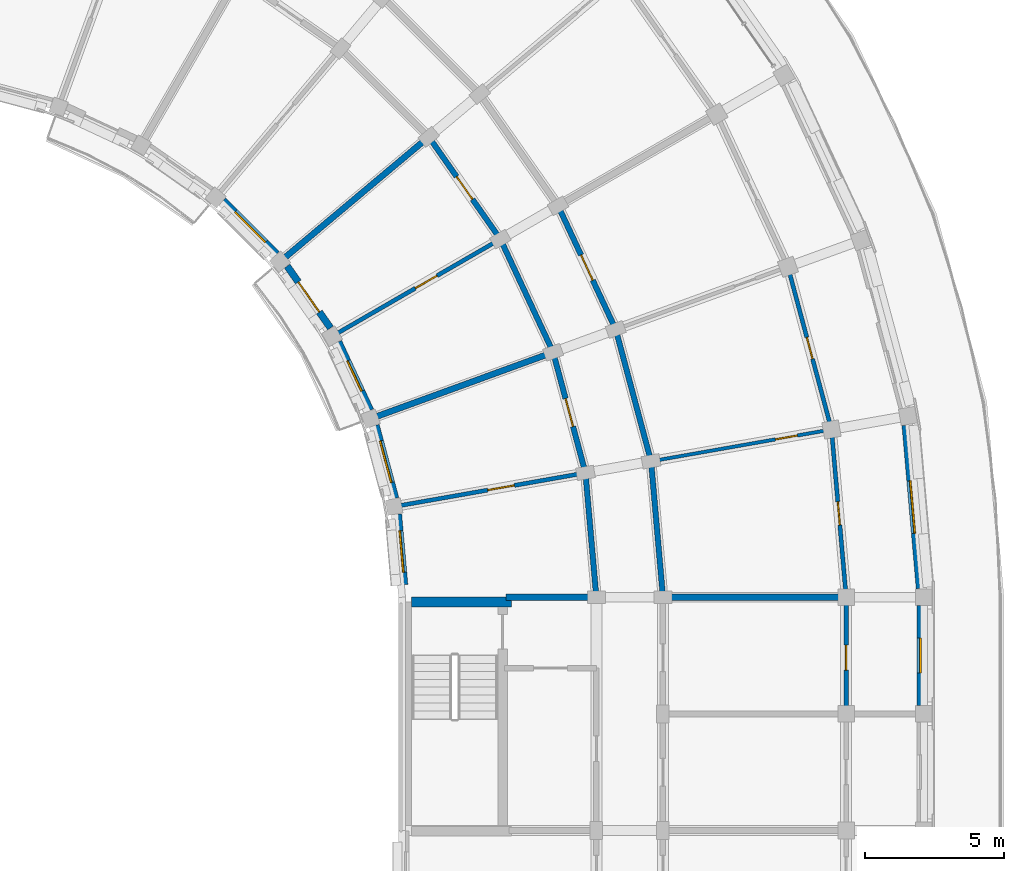
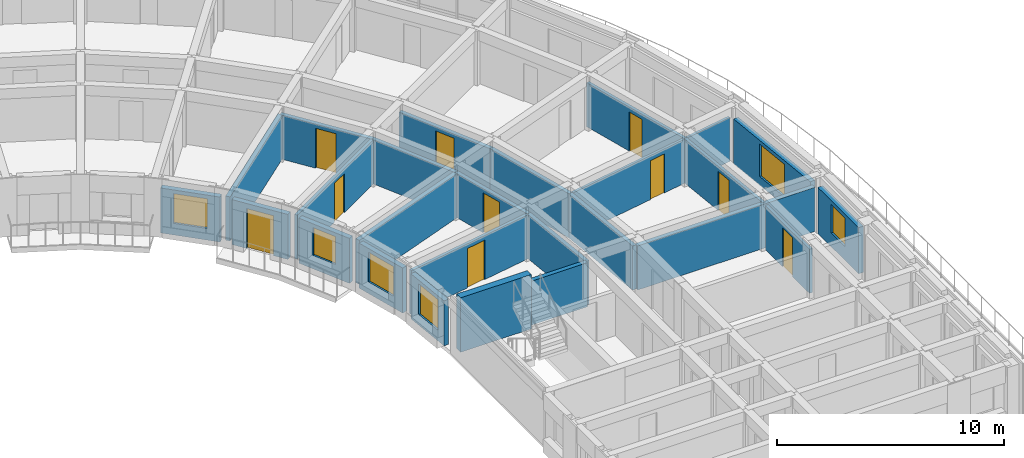
# One storey, part 22 of 36: 25 walls, 10 doors, 6 windows, 16 openings.
"""IFC4 building model written with IfcOpenShell, lengths in metres."""

from ifc_helpers import new_model, si_unit, direction, frame, frame_2d, origin, place, context, subcontext, project, spatial, rectangle, extrude, material, layer, layer_set, type_object, element, fill, save


model = new_model("IFC4")

# Units and contexts
model_context = context("Model", 3, precision=1e-05, world=origin(), true_north=direction((0.0, 1.0)))
body_context = subcontext(model_context, "Body", "Model", "MODEL_VIEW")
ifc_project = project(units=[si_unit("LENGTHUNIT", "METRE"), si_unit("AREAUNIT", "SQUARE_METRE"), si_unit("VOLUMEUNIT", "CUBIC_METRE"), si_unit("PLANEANGLEUNIT", "RADIAN"), si_unit("MASSUNIT", "GRAM", prefix="KILO")], contexts=[model_context])

# Site, building, storey
site_placement = place(None, origin())
site = spatial("IfcSite", under=ifc_project, at=site_placement, CompositionType="ELEMENT")
building_placement = place(site_placement, origin())
building = spatial("IfcBuilding", under=site, at=building_placement, Name="Kiranvali Square Residences", CompositionType="ELEMENT")
storey_placement = place(building_placement, frame((0.0, 0.0, 37.050048828125)))
storey = spatial("IfcBuildingStorey", under=building, at=storey_placement, Name="L11", CompositionType="ELEMENT", Elevation=37.050048828125)

# Wall, opening, door
ifc_material_1 = material(Name="Autoclaved aerated concrete blockwork masonry", Category="masonry")
ifc_layer_1 = layer(ifc_material_1, 0.199951171875)
ifc_layer_set_1 = layer_set([ifc_layer_1], Name="Autoclaved aerated concrete blockwork masonry")
wall_type_1 = type_object("IfcWallType", Name="WL-COR-200", PredefinedType="STANDARD", material=ifc_layer_set_1)
wall_1_placement = place(storey_placement, frame((139.56396484375, 104.384033203125, 0.0), z_axis=(0.0, 0.0, 1.0), x_axis=(0.573571637217, -0.819155404658, 0.0)))
wall_1 = element("IfcWall", 1, at=wall_1_placement, inside=storey, type_object=wall_type_1, Name="L11 architectural wall WL-L11-B-CCI-5", PredefinedType="STANDARD", context=body_context, shape_type="SweptSolid", body=[
    extrude(rectangle(XDim=4.497314453125, YDim=0.199951171875, at=frame_2d((2.24853515625, 0.0))), origin(), (0.0, 0.0, 1.0), 2.3720703125),
])
opening_1_placement = place(wall_1_placement, frame((1.74853515625, 0.0, 0.0)))
opening_1 = element("IfcOpeningElement", 2, at=opening_1_placement, cuts=wall_1, Name="Opening FD-APT-60", PredefinedType="OPENING", context=body_context, shape_type="SweptSolid", body=[
    extrude(rectangle(XDim=1.0, YDim=2.14990234375, at=frame_2d((0.5, 1.074951171875))), frame((0.0, 0.10986328125, 0.0), z_axis=(0.0, -1.0, 0.0), x_axis=(1.0, 0.0, 0.0)), (0.0, 0.0, 1.0), 0.219970703125),
])
ifc_material_2 = material(Name="Fire-rated acoustic hardwood and mineral-core door assembly", Category="wood")
door_type_1 = type_object("IfcDoorType", Name="DR-APT-1000", OperationType="NOTDEFINED", PredefinedType="DOOR", material=ifc_material_2)
door_1_placement = place(opening_1_placement, frame((1.0, 0.0, 0.0), z_axis=(0.0, 0.0, 1.0), x_axis=(-1.0, 0.0, 0.0)))
door_1 = element("IfcDoor", 3, at=door_1_placement, inside=storey, type_object=door_type_1, Name="L11 door DR-L11-1682 (DR-APT-1000)", OperationType="SINGLE_SWING_RIGHT", OverallHeight=2.14990234375, OverallWidth=1.0, PredefinedType="DOOR", context=body_context, shape_type="SweptSolid", body=[
    extrude(rectangle(XDim=1.0, YDim=2.14990234375, at=frame_2d((0.5, 1.074951171875))), frame((0.0, 0.02490234375, 0.0), z_axis=(0.0, -1.0, 0.0), x_axis=(1.0, 0.0, 0.0)), (0.0, 0.0, 1.0), 0.050048828125),
])
fill(opening_1, door_1)

# Wall
wall_2_placement = place(storey_placement, frame((142.1435546875, 100.699951171875, 0.0), z_axis=(0.0, 0.0, 1.0), x_axis=(0.422617978463, -0.906307919131, 0.0)))
element("IfcWall", 4, at=wall_2_placement, inside=storey, type_object=wall_type_1, Name="L11 architectural wall WL-L11-B-CCI-6", PredefinedType="STANDARD", context=body_context, shape_type="SweptSolid", body=[
    extrude(rectangle(XDim=4.497314453125, YDim=0.199951171875, at=frame_2d((2.24853515625, 0.0))), origin(), (0.0, 0.0, 1.0), 2.3720703125),
])

# Wall, opening, door
wall_3_placement = place(storey_placement, frame((144.221923828125, 101.89990234375, 0.0), z_axis=(0.0, 0.0, 1.0), x_axis=(0.422629854778, -0.906302381024, 0.0)))
wall_3 = element("IfcWall", 5, at=wall_3_placement, inside=storey, type_object=wall_type_1, Name="L11 architectural wall WL-L11-B-CCO-6", PredefinedType="STANDARD", context=body_context, shape_type="SweptSolid", body=[
    extrude(rectangle(XDim=4.915283203125, YDim=0.199951171875, at=frame_2d((2.45751953125, 0.0))), origin(), (0.0, 0.0, 1.0), 2.3720703125),
])
opening_2_placement = place(wall_3_placement, frame((1.957763671875, 0.0, 0.0)))
opening_2 = element("IfcOpeningElement", 6, at=opening_2_placement, cuts=wall_3, Name="Opening FD-APT-60", PredefinedType="OPENING", context=body_context, shape_type="SweptSolid", body=[
    extrude(rectangle(XDim=1.0, YDim=2.14990234375, at=frame_2d((0.5, 1.074951171875))), frame((0.0, 0.10986328125, 0.0), z_axis=(0.0, -1.0, 0.0), x_axis=(1.0, 0.0, 0.0)), (0.0, 0.0, 1.0), 0.219970703125),
])
door_2_placement = place(opening_2_placement, frame((1.0, 0.0, 0.0), z_axis=(0.0, 0.0, 1.0), x_axis=(-1.0, 0.0, 0.0)))
door_2 = element("IfcDoor", 7, at=door_2_placement, inside=storey, type_object=door_type_1, Name="L11 door DR-L11-1676 (DR-APT-1000)", OperationType="SINGLE_SWING_RIGHT", OverallHeight=2.14990234375, OverallWidth=1.0, PredefinedType="DOOR", context=body_context, shape_type="SweptSolid", body=[
    extrude(rectangle(XDim=1.0, YDim=2.14990234375, at=frame_2d((0.5, 1.074951171875))), frame((0.0, 0.02490234375, 0.0), z_axis=(0.0, -1.0, 0.0), x_axis=(1.0, 0.0, 0.0)), (0.0, 0.0, 1.0), 0.050048828125),
])
fill(opening_2, door_2)

wall_4_placement = place(storey_placement, frame((144.044189453125, 96.6240234375, 0.0), z_axis=(0.0, 0.0, 1.0), x_axis=(0.258787642463, -0.965934240054, 0.0)))
wall_4 = element("IfcWall", 8, at=wall_4_placement, inside=storey, type_object=wall_type_1, Name="L11 architectural wall WL-L11-B-CCI-7", PredefinedType="STANDARD", context=body_context, shape_type="SweptSolid", body=[
    extrude(rectangle(XDim=4.497314453125, YDim=0.199951171875, at=frame_2d((2.24853515625, 0.0))), origin(), (0.0, 0.0, 1.0), 2.3720703125),
])
opening_3_placement = place(wall_4_placement, frame((1.728515625, 0.0, 0.0)))
opening_3 = element("IfcOpeningElement", 9, at=opening_3_placement, cuts=wall_4, Name="Opening FD-APT-60B", PredefinedType="OPENING", context=body_context, shape_type="SweptSolid", body=[
    extrude(rectangle(XDim=1.0400390625, YDim=2.14990234375, at=frame_2d((0.52001953125, 1.074951171875))), frame((0.0, 0.10986328125, 0.0), z_axis=(0.0, -1.0, 0.0), x_axis=(1.0, 0.0, 0.0)), (0.0, 0.0, 1.0), 0.219970703125),
])
door_type_2 = type_object("IfcDoorType", Name="DR-APT-1040", OperationType="NOTDEFINED", PredefinedType="DOOR", material=ifc_material_2)
door_3_placement = place(opening_3_placement, origin())
door_3 = element("IfcDoor", 10, at=door_3_placement, inside=storey, type_object=door_type_2, Name="L11 door DR-L11-1683 (DR-APT-1040)", OperationType="SINGLE_SWING_LEFT", OverallHeight=2.14990234375, OverallWidth=1.0400390625, PredefinedType="DOOR", context=body_context, shape_type="SweptSolid", body=[
    extrude(rectangle(XDim=1.0400390625, YDim=2.14990234375, at=frame_2d((0.52001953125, 1.074951171875))), frame((0.0, 0.02490234375, 0.0), z_axis=(0.0, -1.0, 0.0), x_axis=(1.0, 0.0, 0.0)), (0.0, 0.0, 1.0), 0.050048828125),
])
fill(opening_3, door_3)

# Walls
wall_5_placement = place(storey_placement, frame((146.29931640625, 97.445068359375, 0.0), z_axis=(0.0, 0.0, 1.0), x_axis=(0.258803112091, -0.965930095386, 0.0)))
element("IfcWall", 11, at=wall_5_placement, inside=storey, type_object=wall_type_1, Name="L11 architectural wall WL-L11-B-CCO-7", PredefinedType="STANDARD", context=body_context, shape_type="SweptSolid", body=[
    extrude(rectangle(XDim=4.915771484375, YDim=0.199951171875, at=frame_2d((2.4580078125, 0.0))), origin(), (0.0, 0.0, 1.0), 2.3720703125),
])
wall_6_placement = place(storey_placement, frame((145.2080078125, 92.280029296875, 0.0), z_axis=(0.0, 0.0, 1.0), x_axis=(0.087187153726, -0.996191949488, 0.0)))
element("IfcWall", 12, at=wall_6_placement, inside=storey, type_object=wall_type_1, Name="L11 architectural wall WL-L11-B-CCI-8", PredefinedType="STANDARD", context=body_context, shape_type="SweptSolid", body=[
    extrude(rectangle(XDim=4.4970703125, YDim=0.199951171875, at=frame_2d((2.24853515625, 0.0))), origin(), (0.0, 0.0, 1.0), 2.3720703125),
])
wall_7_placement = place(storey_placement, frame((147.571533203125, 92.69677734375, 0.0), z_axis=(0.0, 0.0, 1.0), x_axis=(0.087167566415, -0.996193663584, 0.0)))
element("IfcWall", 13, at=wall_7_placement, inside=storey, type_object=wall_type_1, Name="L11 architectural wall WL-L11-B-CCO-8", PredefinedType="STANDARD", context=body_context, shape_type="SweptSolid", body=[
    extrude(rectangle(XDim=4.91552734375, YDim=0.199951171875, at=frame_2d((2.457763671875, 0.0))), origin(), (0.0, 0.0, 1.0), 2.3720703125),
])
ifc_layer_2 = layer(ifc_material_1, 0.219970703125)
ifc_layer_set_2 = layer_set([ifc_layer_2], Name="Autoclaved aerated concrete blockwork masonry")
wall_type_2 = type_object("IfcWallType", Name="WL-DEM-220", PredefinedType="STANDARD", material=ifc_layer_set_2)
for number, where, z_axis, x_axis, name in (
    (14, (134.354736328125, 100.012939453125, 0.0), (0.0, 0.0, 1.0), (0.766046761698, 0.642784846501, 0.0), "L11 architectural wall WL-L11-B-RADI-5"),
    (15, (137.654052734375, 94.29833984375, 0.0), (0.0, 0.0, 1.0), (0.939696231917, 0.342010221662, 0.0), "L11 architectural wall WL-L11-B-RADI-7"),
):
    element("IfcWall", number, at=place(storey_placement, frame(where, z_axis=z_axis, x_axis=x_axis)), inside=storey, type_object=wall_type_2, Name=name, PredefinedType="STANDARD", context=body_context, shape_type="SweptSolid", body=[
        extrude(rectangle(XDim=6.75, YDim=0.219970703125, at=frame_2d((3.375, 0.0))), origin(), (0.0, 0.0, 1.0), 2.3720703125),
    ])
wall_8_placement = place(storey_placement, frame((142.35009765625, 87.800048828125, 0.0), z_axis=(0.0, 0.0, 1.0), x_axis=(1.0, 0.0, 0.0)))
element("IfcWall", 16, at=wall_8_placement, inside=storey, type_object=wall_type_2, Name="L11 architectural wall WL-L11-B-RADI-9", PredefinedType="STANDARD", context=body_context, shape_type="SweptSolid", body=[
    extrude(rectangle(XDim=3.199951171875, YDim=0.219970703125, at=frame_2d((1.60009765625, 0.0))), origin(), (0.0, 0.0, 1.0), 2.3720703125),
])
wall_9_placement = place(storey_placement, frame((148.10009765625, 87.800048828125, 0.0), z_axis=(0.0, 0.0, 1.0), x_axis=(1.0, 0.0, 0.0)))
element("IfcWall", 17, at=wall_9_placement, inside=storey, type_object=wall_type_2, Name="L11 architectural wall WL-L11-B-RADO-9", PredefinedType="STANDARD", context=body_context, shape_type="SweptSolid", body=[
    extrude(rectangle(XDim=9.02001953125, YDim=0.219970703125, at=frame_2d((4.510009765625, 0.0))), origin(), (0.0, 0.0, 1.0), 2.3720703125),
])

# Wall, opening, window
ifc_material_3 = material(Name="Breathable lime-rendered clay brick masonry", Category="masonry")
ifc_layer_3 = layer(ifc_material_3, 0.25)
ifc_layer_set_3 = layer_set([ifc_layer_3], Name="Breathable lime-rendered clay brick masonry")
wall_type_3 = type_object("IfcWallType", Name="WL-EXT-250", PredefinedType="STANDARD", material=ifc_layer_set_3)
wall_10_placement = place(storey_placement, frame((156.732666015625, 93.993896484375, 0.0), z_axis=(0.0, 0.0, 1.0), x_axis=(0.087145401275, -0.996195602799, 0.0)))
wall_10 = element("IfcWall", 18, at=wall_10_placement, inside=storey, type_object=wall_type_3, Name="L11 exterior wall B-L11-CRV-08", PredefinedType="STANDARD", context=body_context, shape_type="SweptSolid", body=[
    extrude(rectangle(XDim=5.90283203125, YDim=0.25, at=frame_2d((2.951416015625, 0.0))), origin(), (0.0, 0.0, 1.0), 2.411865234375),
])
opening_4_placement = place(wall_10_placement, frame((2.00146484375, 0.0, 0.4619140625)))
opening_4 = element("IfcOpeningElement", 19, at=opening_4_placement, cuts=wall_10, Name="Opening W-21", PredefinedType="OPENING", context=body_context, shape_type="SweptSolid", body=[
    extrude(rectangle(XDim=1.89990234375, YDim=1.75, at=frame_2d((0.949951171875, 0.875))), frame((0.0, 0.135009765625, 0.0), z_axis=(0.0, -1.0, 0.0), x_axis=(1.0, 0.0, 0.0)), (0.0, 0.0, 1.0), 0.27001953125),
])
ifc_material_4 = material(Name="Solar-control low-e double glazing", Category="glass")
window_type_1 = type_object("IfcWindowType", Name="WIN-TER-1900x1750", PartitioningType="DOUBLE_PANEL_VERTICAL", PredefinedType="WINDOW", material=ifc_material_4)
window_1_placement = place(opening_4_placement, origin())
window_1 = element("IfcWindow", 20, at=window_1_placement, inside=storey, type_object=window_type_1, Name="L11 recessed window B-L11-CRV-08", OverallHeight=1.75, OverallWidth=1.89990234375, PartitioningType="DOUBLE_PANEL_VERTICAL", PredefinedType="WINDOW", context=body_context, shape_type="SweptSolid", body=[
    extrude(rectangle(XDim=1.89990234375, YDim=1.75, at=frame_2d((0.949951171875, 0.875))), frame((0.0, 0.030029296875, 0.0), z_axis=(0.0, -1.0, 0.0), x_axis=(1.0, 0.0, 0.0)), (0.0, 0.0, 1.0), 0.06005859375),
])
fill(opening_4, window_1)

wall_11_placement = place(storey_placement, frame((132.169921875, 102.093017578125, 0.0), z_axis=(0.0, 0.0, 1.0), x_axis=(0.707106781187, -0.707106781187, 0.0)))
wall_11 = element("IfcWall", 21, at=wall_11_placement, inside=storey, type_object=wall_type_3, Name="L11 exterior wall B-L11-GDN-04", PredefinedType="STANDARD", context=body_context, shape_type="SweptSolid", body=[
    extrude(rectangle(XDim=2.7197265625, YDim=0.25, at=frame_2d((1.35986328125, 0.0))), origin(), (0.0, 0.0, 1.0), 2.421875),
])
opening_5_placement = place(wall_11_placement, frame((0.5849609375, 0.0, 0.6220703125)))
opening_5 = element("IfcOpeningElement", 22, at=opening_5_placement, cuts=wall_11, Name="Opening W-18", PredefinedType="OPENING", context=body_context, shape_type="SweptSolid", body=[
    extrude(rectangle(XDim=1.550048828125, YDim=1.60009765625, at=frame_2d((0.77490234375, 0.800048828125))), frame((0.0, 0.135009765625, 0.0), z_axis=(0.0, -1.0, 0.0), x_axis=(1.0, 0.0, 0.0)), (0.0, 0.0, 1.0), 0.27001953125),
])
window_type_2 = type_object("IfcWindowType", Name="WIN-GDN-1550x1600", PartitioningType="DOUBLE_PANEL_VERTICAL", PredefinedType="WINDOW", material=ifc_material_4)
window_2_placement = place(opening_5_placement, origin())
window_2 = element("IfcWindow", 23, at=window_2_placement, inside=storey, type_object=window_type_2, Name="L11 recessed window B-L11-GDN-04", OverallHeight=1.60009765625, OverallWidth=1.550048828125, PartitioningType="DOUBLE_PANEL_VERTICAL", PredefinedType="WINDOW", context=body_context, shape_type="SweptSolid", body=[
    extrude(rectangle(XDim=1.550048828125, YDim=1.60009765625, at=frame_2d((0.77490234375, 0.800048828125))), frame((0.0, 0.030029296875, 0.0), z_axis=(0.0, -1.0, 0.0), x_axis=(1.0, 0.0, 0.0)), (0.0, 0.0, 1.0), 0.06005859375),
])
fill(opening_5, window_2)

# Wall, opening, door
wall_12_placement = place(storey_placement, frame((134.4638671875, 99.727783203125, 0.0), z_axis=(0.0, 0.0, 1.0), x_axis=(0.573612950921, -0.819126475299, 0.0)))
wall_12 = element("IfcWall", 24, at=wall_12_placement, inside=storey, type_object=wall_type_3, Name="L11 exterior wall B-L11-GDN-05", PredefinedType="STANDARD", context=body_context, shape_type="SweptSolid", body=[
    extrude(rectangle(XDim=2.7197265625, YDim=0.25, at=frame_2d((1.35986328125, 0.0))), origin(), (0.0, 0.0, 1.0), 2.421875),
])
opening_6_placement = place(wall_12_placement, frame((0.699951171875, 0.0, 0.0)))
opening_6 = element("IfcOpeningElement", 25, at=opening_6_placement, cuts=wall_12, Name="Opening ED-BAL-3", PredefinedType="OPENING", context=body_context, shape_type="SweptSolid", body=[
    extrude(rectangle(XDim=1.320068359375, YDim=2.14990234375, at=frame_2d((0.66015625, 1.074951171875))), frame((0.0, 0.135009765625, 0.0), z_axis=(0.0, -1.0, 0.0), x_axis=(1.0, 0.0, 0.0)), (0.0, 0.0, 1.0), 0.27001953125),
])
ifc_material_5 = material(Name="Anodised bronze aluminium framing", Category="aluminium")
door_type_3 = type_object("IfcDoorType", Name="DR-BAL-1320", OperationType="NOTDEFINED", PredefinedType="DOOR", material=ifc_material_5)
door_4_placement = place(opening_6_placement, frame((1.320068359375, 0.0, 0.0), z_axis=(0.0, 0.0, 1.0), x_axis=(-1.0, 0.0, 0.0)))
door_4 = element("IfcDoor", 26, at=door_4_placement, inside=storey, type_object=door_type_3, Name="L11 balcony terrace door", OperationType="SINGLE_SWING_LEFT", OverallHeight=2.14990234375, OverallWidth=1.320068359375, PredefinedType="DOOR", context=body_context, shape_type="SweptSolid", body=[
    extrude(rectangle(XDim=1.320068359375, YDim=2.14990234375, at=frame_2d((0.66015625, 1.074951171875))), frame((0.0, 0.02490234375, 0.0), z_axis=(0.0, -1.0, 0.0), x_axis=(1.0, 0.0, 0.0)), (0.0, 0.0, 1.0), 0.050048828125),
])
fill(opening_6, door_4)

# Wall, opening, window
wall_13_placement = place(storey_placement, frame((136.312255859375, 97.000244140625, 0.0), z_axis=(0.0, 0.0, 1.0), x_axis=(0.422629903269, -0.906302358412, 0.0)))
wall_13 = element("IfcWall", 27, at=wall_13_placement, inside=storey, type_object=wall_type_3, Name="L11 exterior wall B-L11-GDN-06", PredefinedType="STANDARD", context=body_context, shape_type="SweptSolid", body=[
    extrude(rectangle(XDim=2.7197265625, YDim=0.25, at=frame_2d((1.35986328125, 0.0))), origin(), (0.0, 0.0, 1.0), 2.421875),
])
opening_7_placement = place(wall_13_placement, frame((0.759765625, 0.0, 0.721923828125)))
opening_7 = element("IfcOpeningElement", 28, at=opening_7_placement, cuts=wall_13, Name="Opening W-06", PredefinedType="OPENING", context=body_context, shape_type="SweptSolid", body=[
    extrude(rectangle(XDim=1.199951171875, YDim=1.5, at=frame_2d((0.60009765625, 0.75))), frame((0.0, 0.135009765625, 0.0), z_axis=(0.0, -1.0, 0.0), x_axis=(1.0, 0.0, 0.0)), (0.0, 0.0, 1.0), 0.27001953125),
])
window_type_3 = type_object("IfcWindowType", Name="WIN-RES-1200x1500", PartitioningType="SINGLE_PANEL", PredefinedType="WINDOW", material=ifc_material_4)
window_3_placement = place(opening_7_placement, origin())
window_3 = element("IfcWindow", 29, at=window_3_placement, inside=storey, type_object=window_type_3, Name="L11 recessed window B-L11-GDN-06", OverallHeight=1.5, OverallWidth=1.199951171875, PartitioningType="SINGLE_PANEL", PredefinedType="WINDOW", context=body_context, shape_type="SweptSolid", body=[
    extrude(rectangle(XDim=1.199951171875, YDim=1.5, at=frame_2d((0.60009765625, 0.75))), frame((0.0, 0.030029296875, 0.0), z_axis=(0.0, -1.0, 0.0), x_axis=(1.0, 0.0, 0.0)), (0.0, 0.0, 1.0), 0.06005859375),
])
fill(opening_7, window_3)

wall_14_placement = place(storey_placement, frame((137.6591796875, 93.9931640625, 0.0), z_axis=(0.0, 0.0, 1.0), x_axis=(0.258807879411, -0.965928818058, 0.0)))
wall_14 = element("IfcWall", 30, at=wall_14_placement, inside=storey, type_object=wall_type_3, Name="L11 exterior wall B-L11-GDN-07", PredefinedType="STANDARD", context=body_context, shape_type="SweptSolid", body=[
    extrude(rectangle(XDim=2.7197265625, YDim=0.25, at=frame_2d((1.35986328125, 0.0))), origin(), (0.0, 0.0, 1.0), 2.421875),
])
opening_8_placement = place(wall_14_placement, frame((0.5849609375, 0.0, 0.6220703125)))
opening_8 = element("IfcOpeningElement", 31, at=opening_8_placement, cuts=wall_14, Name="Opening W-18", PredefinedType="OPENING", context=body_context, shape_type="SweptSolid", body=[
    extrude(rectangle(XDim=1.550048828125, YDim=1.60009765625, at=frame_2d((0.77490234375, 0.800048828125))), frame((0.0, 0.135009765625, 0.0), z_axis=(0.0, -1.0, 0.0), x_axis=(1.0, 0.0, 0.0)), (0.0, 0.0, 1.0), 0.27001953125),
])
window_4_placement = place(opening_8_placement, origin())
window_4 = element("IfcWindow", 32, at=window_4_placement, inside=storey, type_object=window_type_2, Name="L11 recessed window B-L11-GDN-07", OverallHeight=1.60009765625, OverallWidth=1.550048828125, PartitioningType="DOUBLE_PANEL_VERTICAL", PredefinedType="WINDOW", context=body_context, shape_type="SweptSolid", body=[
    extrude(rectangle(XDim=1.550048828125, YDim=1.60009765625, at=frame_2d((0.77490234375, 0.800048828125))), frame((0.0, 0.030029296875, 0.0), z_axis=(0.0, -1.0, 0.0), x_axis=(1.0, 0.0, 0.0)), (0.0, 0.0, 1.0), 0.06005859375),
])
fill(opening_8, window_4)

wall_15_placement = place(storey_placement, frame((138.463134765625, 90.7978515625, 0.0), z_axis=(0.0, 0.0, 1.0), x_axis=(0.087222589008, -0.996188847542, 0.0)))
wall_15 = element("IfcWall", 33, at=wall_15_placement, inside=storey, type_object=wall_type_3, Name="L11 exterior wall B-L11-GDN-08", PredefinedType="STANDARD", context=body_context, shape_type="SweptSolid", body=[
    extrude(rectangle(XDim=2.558349609375, YDim=0.25, at=frame_2d((1.279296875, 0.0))), origin(), (0.0, 0.0, 1.0), 2.421875),
])
opening_9_placement = place(wall_15_placement, frame((0.60986328125, 0.0, 0.572021484375)))
opening_9 = element("IfcOpeningElement", 34, at=opening_9_placement, cuts=wall_15, Name="Opening W-05", PredefinedType="OPENING", context=body_context, shape_type="SweptSolid", body=[
    extrude(rectangle(XDim=1.5, YDim=1.64990234375, at=frame_2d((0.75, 0.824951171875))), frame((0.0, 0.135009765625, 0.0), z_axis=(0.0, -1.0, 0.0), x_axis=(1.0, 0.0, 0.0)), (0.0, 0.0, 1.0), 0.27001953125),
])
window_type_4 = type_object("IfcWindowType", Name="WIN-RES-1500x1650", PartitioningType="DOUBLE_PANEL_VERTICAL", PredefinedType="WINDOW", material=ifc_material_4)
window_5_placement = place(opening_9_placement, origin())
window_5 = element("IfcWindow", 35, at=window_5_placement, inside=storey, type_object=window_type_4, Name="L11 recessed window B-L11-GDN-08", OverallHeight=1.64990234375, OverallWidth=1.5, PartitioningType="DOUBLE_PANEL_VERTICAL", PredefinedType="WINDOW", context=body_context, shape_type="SweptSolid", body=[
    extrude(rectangle(XDim=1.5, YDim=1.64990234375, at=frame_2d((0.75, 0.824951171875))), frame((0.0, 0.030029296875, 0.0), z_axis=(0.0, -1.0, 0.0), x_axis=(1.0, 0.0, 0.0)), (0.0, 0.0, 1.0), 0.06005859375),
])
fill(opening_9, window_5)

wall_16_placement = place(storey_placement, frame((157.27490234375, 87.49658203125, 0.0), z_axis=(0.0, 0.0, 1.0), x_axis=(0.0, -1.0, 0.0)))
wall_16 = element("IfcWall", 36, at=wall_16_placement, inside=storey, type_object=wall_type_3, Name="L11 exterior wall B-L11-A2O-0", PredefinedType="STANDARD", context=body_context, shape_type="SweptSolid", body=[
    extrude(rectangle(XDim=3.593017578125, YDim=0.25, at=frame_2d((1.79638671875, 0.0))), origin(), (0.0, 0.0, 1.0), 2.47998046875),
])
opening_10_placement = place(wall_16_placement, frame((1.17138671875, 0.0, 0.72998046875)))
opening_10 = element("IfcOpeningElement", 37, at=opening_10_placement, cuts=wall_16, Name="Opening W-19", PredefinedType="OPENING", context=body_context, shape_type="SweptSolid", body=[
    extrude(rectangle(XDim=1.25, YDim=1.550048828125, at=frame_2d((0.625, 0.77490234375))), frame((0.0, 0.135009765625, 0.0), z_axis=(0.0, -1.0, 0.0), x_axis=(1.0, 0.0, 0.0)), (0.0, 0.0, 1.0), 0.27001953125),
])
window_type_5 = type_object("IfcWindowType", Name="WIN-GDN-1250x1550", PartitioningType="SINGLE_PANEL", PredefinedType="WINDOW", material=ifc_material_4)
window_6_placement = place(opening_10_placement, origin())
window_6 = element("IfcWindow", 38, at=window_6_placement, inside=storey, type_object=window_type_5, Name="L11 recessed window B-L11-A2O-0", OverallHeight=1.550048828125, OverallWidth=1.25, PartitioningType="SINGLE_PANEL", PredefinedType="WINDOW", context=body_context, shape_type="SweptSolid", body=[
    extrude(rectangle(XDim=1.25, YDim=1.550048828125, at=frame_2d((0.625, 0.77490234375))), frame((0.0, 0.030029296875, 0.0), z_axis=(0.0, -1.0, 0.0), x_axis=(1.0, 0.0, 0.0)), (0.0, 0.0, 1.0), 0.06005859375),
])
fill(opening_10, window_6)

# Wall, opening, door
ifc_material_6 = material(Name="Acoustic gypsum board drylined partition", Category="gypsum")
ifc_layer_4 = layer(ifc_material_6, 0.125)
ifc_layer_set_4 = layer_set([ifc_layer_4], Name="Acoustic gypsum board drylined partition")
wall_type_4 = type_object("IfcWallType", Name="WL-PRT-125", PredefinedType="PARTITIONING", material=ifc_layer_set_4)
wall_17_placement = place(storey_placement, frame((147.670166015625, 92.71435546875, 0.0), z_axis=(0.0, 0.0, 1.0), x_axis=(0.98480997874, 0.173635554464, 0.0)))
wall_17 = element("IfcWall", 39, at=wall_17_placement, inside=storey, type_object=wall_type_4, Name="L11 architectural wall WL-L11-B-RADO-8", PredefinedType="PARTITIONING", context=body_context, shape_type="SweptSolid", body=[
    extrude(rectangle(XDim=9.019775390625, YDim=0.125, at=frame_2d((4.509765625, 0.0))), origin(), (0.0, 0.0, 1.0), 2.3720703125),
])
opening_11_placement = place(wall_17_placement, frame((4.449951171875, 0.0, 0.0)))
opening_11 = element("IfcOpeningElement", 40, at=opening_11_placement, cuts=wall_17, Name="Opening ID-WET", PredefinedType="OPENING", context=body_context, shape_type="SweptSolid", body=[
    extrude(rectangle(XDim=0.800048828125, YDim=2.10009765625, at=frame_2d((0.39990234375, 1.050048828125))), frame((0.0, 0.072509765625, 0.0), z_axis=(0.0, -1.0, 0.0), x_axis=(1.0, 0.0, 0.0)), (0.0, 0.0, 1.0), 0.14501953125),
])
ifc_material_7 = material(Name="Solid seasoned teak hardwood joinery", Category="wood")
door_type_4 = type_object("IfcDoorType", Name="DR-WET-800", OperationType="NOTDEFINED", PredefinedType="DOOR", material=ifc_material_7)
door_5_placement = place(opening_11_placement, frame((0.800048828125, 0.0, 0.0), z_axis=(0.0, 0.0, 1.0), x_axis=(-1.0, 0.0, 0.0)))
door_5 = element("IfcDoor", 41, at=door_5_placement, inside=storey, type_object=door_type_4, Name="L11 door DR-L11-1666 (DR-WET-800)", OperationType="SINGLE_SWING_RIGHT", OverallHeight=2.10009765625, OverallWidth=0.800048828125, PredefinedType="DOOR", context=body_context, shape_type="SweptSolid", body=[
    extrude(rectangle(XDim=0.800048828125, YDim=2.10009765625, at=frame_2d((0.39990234375, 1.050048828125))), frame((0.0, 0.02490234375, 0.0), z_axis=(0.0, -1.0, 0.0), x_axis=(1.0, 0.0, 0.0)), (0.0, 0.0, 1.0), 0.050048828125),
])
fill(opening_11, door_5)

ifc_layer_5 = layer(ifc_material_6, 0.14990234375)
ifc_layer_set_5 = layer_set([ifc_layer_5], Name="Acoustic gypsum board drylined partition")
wall_type_5 = type_object("IfcWallType", Name="WL-PRT-150", PredefinedType="PARTITIONING", material=ifc_layer_set_5)
wall_18_placement = place(storey_placement, frame((136.25439453125, 97.300048828125, 0.0), z_axis=(0.0, 0.0, 1.0), x_axis=(0.866026575979, 0.499997969693, 0.0)))
wall_18 = element("IfcWall", 42, at=wall_18_placement, inside=storey, type_object=wall_type_5, Name="L11 architectural wall WL-L11-B-RADI-6", PredefinedType="PARTITIONING", context=body_context, shape_type="SweptSolid", body=[
    extrude(rectangle(XDim=6.75, YDim=0.14990234375, at=frame_2d((3.375, 0.0))), origin(), (0.0, 0.0, 1.0), 2.3720703125),
])
opening_12_placement = place(wall_18_placement, frame((3.262451171875, 0.0, 0.0)))
opening_12 = element("IfcOpeningElement", 43, at=opening_12_placement, cuts=wall_18, Name="Opening ID-1", PredefinedType="OPENING", context=body_context, shape_type="SweptSolid", body=[
    extrude(rectangle(XDim=0.89990234375, YDim=2.10009765625, at=frame_2d((0.449951171875, 1.050048828125))), frame((0.0, 0.0849609375, 0.0), z_axis=(0.0, -1.0, 0.0), x_axis=(1.0, 0.0, 0.0)), (0.0, 0.0, 1.0), 0.169921875),
])
door_type_5 = type_object("IfcDoorType", Name="DR-INT-900", OperationType="NOTDEFINED", PredefinedType="DOOR", material=ifc_material_7)
door_6_placement = place(opening_12_placement, origin())
door_6 = element("IfcDoor", 44, at=door_6_placement, inside=storey, type_object=door_type_5, Name="L11 door DR-L11-1663 (DR-INT-900)", OperationType="SINGLE_SWING_LEFT", OverallHeight=2.10009765625, OverallWidth=0.89990234375, PredefinedType="DOOR", context=body_context, shape_type="SweptSolid", body=[
    extrude(rectangle(XDim=0.89990234375, YDim=2.10009765625, at=frame_2d((0.449951171875, 1.050048828125))), frame((0.0, 0.02490234375, 0.0), z_axis=(0.0, -1.0, 0.0), x_axis=(1.0, 0.0, 0.0)), (0.0, 0.0, 1.0), 0.050048828125),
])
fill(opening_12, door_6)

wall_19_placement = place(storey_placement, frame((138.51123046875, 91.099365234375, 0.0), z_axis=(0.0, 0.0, 1.0), x_axis=(0.984807944945, 0.173647089161, 0.0)))
wall_19 = element("IfcWall", 45, at=wall_19_placement, inside=storey, type_object=wall_type_5, Name="L11 architectural wall WL-L11-B-RADI-8", PredefinedType="PARTITIONING", context=body_context, shape_type="SweptSolid", body=[
    extrude(rectangle(XDim=6.75, YDim=0.14990234375, at=frame_2d((3.375, 0.0))), origin(), (0.0, 0.0, 1.0), 2.3720703125),
])
opening_13_placement = place(wall_19_placement, frame((3.222412109375, 0.0, 0.0)))
opening_13 = element("IfcOpeningElement", 46, at=opening_13_placement, cuts=wall_19, Name="Opening ID-3", PredefinedType="OPENING", context=body_context, shape_type="SweptSolid", body=[
    extrude(rectangle(XDim=0.97998046875, YDim=2.1201171875, at=frame_2d((0.489990234375, 1.06005859375))), frame((0.0, 0.0849609375, 0.0), z_axis=(0.0, -1.0, 0.0), x_axis=(1.0, 0.0, 0.0)), (0.0, 0.0, 1.0), 0.169921875),
])
door_type_6 = type_object("IfcDoorType", Name="DR-INT-980", OperationType="NOTDEFINED", PredefinedType="DOOR", material=ifc_material_7)
door_7_placement = place(opening_13_placement, origin())
door_7 = element("IfcDoor", 47, at=door_7_placement, inside=storey, type_object=door_type_6, Name="L11 door DR-L11-1665 (DR-INT-980)", OperationType="SINGLE_SWING_LEFT", OverallHeight=2.1201171875, OverallWidth=0.97998046875, PredefinedType="DOOR", context=body_context, shape_type="SweptSolid", body=[
    extrude(rectangle(XDim=0.97998046875, YDim=2.1201171875, at=frame_2d((0.489990234375, 1.06005859375))), frame((0.0, 0.02490234375, 0.0), z_axis=(0.0, -1.0, 0.0), x_axis=(1.0, 0.0, 0.0)), (0.0, 0.0, 1.0), 0.050048828125),
])
fill(opening_13, door_7)

wall_20_placement = place(storey_placement, frame((154.60009765625, 87.570068359375, 0.0), z_axis=(0.0, 0.0, 1.0), x_axis=(0.0, -1.0, 0.0)))
wall_20 = element("IfcWall", 48, at=wall_20_placement, inside=storey, type_object=wall_type_5, Name="L11 architectural wall WL-L11-B-A2CF-SP0", PredefinedType="PARTITIONING", context=body_context, shape_type="SweptSolid", body=[
    extrude(rectangle(XDim=3.89013671875, YDim=0.14990234375, at=frame_2d((1.945068359375, 0.0))), origin(), (0.0, 0.0, 1.0), 2.3720703125),
])
opening_14_placement = place(wall_20_placement, frame((1.4951171875, 0.0, 0.0)))
opening_14 = element("IfcOpeningElement", 49, at=opening_14_placement, cuts=wall_20, Name="Opening ID-1", PredefinedType="OPENING", context=body_context, shape_type="SweptSolid", body=[
    extrude(rectangle(XDim=0.89990234375, YDim=2.10009765625, at=frame_2d((0.449951171875, 1.050048828125))), frame((0.0, 0.0849609375, 0.0), z_axis=(0.0, -1.0, 0.0), x_axis=(1.0, 0.0, 0.0)), (0.0, 0.0, 1.0), 0.169921875),
])
door_8_placement = place(opening_14_placement, origin())
door_8 = element("IfcDoor", 50, at=door_8_placement, inside=storey, type_object=door_type_5, Name="L11 door DR-L11-1685 (DR-INT-900)", OperationType="SINGLE_SWING_LEFT", OverallHeight=2.10009765625, OverallWidth=0.89990234375, PredefinedType="DOOR", context=body_context, shape_type="SweptSolid", body=[
    extrude(rectangle(XDim=0.89990234375, YDim=2.10009765625, at=frame_2d((0.449951171875, 1.050048828125))), frame((0.0, 0.02490234375, 0.0), z_axis=(0.0, -1.0, 0.0), x_axis=(1.0, 0.0, 0.0)), (0.0, 0.0, 1.0), 0.050048828125),
])
fill(opening_14, door_8)

# Wall
ifc_material_8 = material(Name="Concrete M45 (45 MPa)", Category="concrete")
ifc_layer_6 = layer(ifc_material_8, 0.320068359375)
ifc_layer_set_6 = layer_set([ifc_layer_6], Name="Concrete M45 (45 MPa)")
wall_type_6 = type_object("IfcWallType", Name="WL-SHR-320", PredefinedType="SHEAR", material=ifc_layer_set_6)
wall_21_placement = place(storey_placement, frame((138.949951171875, 87.625, 0.0), z_axis=(0.0, 0.0, 1.0), x_axis=(1.0, 0.0, 0.0)))
element("IfcWall", 51, at=wall_21_placement, inside=storey, type_object=wall_type_6, Name="Block B core shear wall SW-B3-NEAR-L11", PredefinedType="SHEAR", context=body_context, shape_type="SweptSolid", body=[
    extrude(rectangle(XDim=3.60009765625, YDim=0.35009765625, at=frame_2d((1.800048828125, 0.0))), origin(), (0.0, 0.0, 1.0), 2.929931640625),
])

# Wall, opening, door
ifc_layer_7 = layer(ifc_material_1, 0.14990234375)
ifc_layer_set_7 = layer_set([ifc_layer_7], Name="Autoclaved aerated concrete blockwork masonry")
wall_type_7 = type_object("IfcWallType", Name="WL-WET-150", PredefinedType="PLUMBINGWALL", material=ifc_layer_set_7)
wall_22_placement = place(storey_placement, frame((152.501220703125, 99.702392578125, 0.0), z_axis=(0.0, 0.0, 1.0), x_axis=(0.258827283048, -0.965923618901, 0.0)))
wall_22 = element("IfcWall", 52, at=wall_22_placement, inside=storey, type_object=wall_type_7, Name="L11 architectural wall WL-L11-B-CWET-7", PredefinedType="PLUMBINGWALL", context=body_context, shape_type="SweptSolid", body=[
    extrude(rectangle(XDim=6.066162109375, YDim=0.14990234375, at=frame_2d((3.033203125, 0.0))), origin(), (0.0, 0.0, 1.0), 2.3720703125),
])
opening_15_placement = place(wall_22_placement, frame((2.633056640625, 0.0, 0.0)))
opening_15 = element("IfcOpeningElement", 53, at=opening_15_placement, cuts=wall_22, Name="Opening ID-WET", PredefinedType="OPENING", context=body_context, shape_type="SweptSolid", body=[
    extrude(rectangle(XDim=0.800048828125, YDim=2.10009765625, at=frame_2d((0.39990234375, 1.050048828125))), frame((0.0, 0.0849609375, 0.0), z_axis=(0.0, -1.0, 0.0), x_axis=(1.0, 0.0, 0.0)), (0.0, 0.0, 1.0), 0.169921875),
])
door_9_placement = place(opening_15_placement, frame((0.800048828125, 0.0, 0.0), z_axis=(0.0, 0.0, 1.0), x_axis=(-1.0, 0.0, 0.0)))
door_9 = element("IfcDoor", 54, at=door_9_placement, inside=storey, type_object=door_type_4, Name="L11 door DR-L11-1678 (DR-WET-800)", OperationType="SINGLE_SWING_RIGHT", OverallHeight=2.10009765625, OverallWidth=0.800048828125, PredefinedType="DOOR", context=body_context, shape_type="SweptSolid", body=[
    extrude(rectangle(XDim=0.800048828125, YDim=2.10009765625, at=frame_2d((0.39990234375, 1.050048828125))), frame((0.0, 0.02490234375, 0.0), z_axis=(0.0, -1.0, 0.0), x_axis=(1.0, 0.0, 0.0)), (0.0, 0.0, 1.0), 0.050048828125),
])
fill(opening_15, door_9)

wall_23_placement = place(storey_placement, frame((154.0712890625, 93.843017578125, 0.0), z_axis=(0.0, 0.0, 1.0), x_axis=(0.087174938512, -0.996193018494, 0.0)))
wall_23 = element("IfcWall", 55, at=wall_23_placement, inside=storey, type_object=wall_type_7, Name="L11 architectural wall WL-L11-B-CWET-8", PredefinedType="PLUMBINGWALL", context=body_context, shape_type="SweptSolid", body=[
    extrude(rectangle(XDim=6.066162109375, YDim=0.14990234375, at=frame_2d((3.033203125, 0.0))), origin(), (0.0, 0.0, 1.0), 2.3720703125),
])
opening_16_placement = place(wall_23_placement, frame((2.613037109375, 0.0, 0.0)))
opening_16 = element("IfcOpeningElement", 56, at=opening_16_placement, cuts=wall_23, Name="Opening ID-WET2", PredefinedType="OPENING", context=body_context, shape_type="SweptSolid", body=[
    extrude(rectangle(XDim=0.840087890625, YDim=2.10009765625, at=frame_2d((0.419921875, 1.050048828125))), frame((0.0, 0.0849609375, 0.0), z_axis=(0.0, -1.0, 0.0), x_axis=(1.0, 0.0, 0.0)), (0.0, 0.0, 1.0), 0.169921875),
])
door_type_7 = type_object("IfcDoorType", Name="DR-WET-840", OperationType="NOTDEFINED", PredefinedType="DOOR", material=ifc_material_7)
door_10_placement = place(opening_16_placement, origin())
door_10 = element("IfcDoor", 57, at=door_10_placement, inside=storey, type_object=door_type_7, Name="L11 door DR-L11-1679 (DR-WET-840)", OperationType="SINGLE_SWING_LEFT", OverallHeight=2.10009765625, OverallWidth=0.840087890625, PredefinedType="DOOR", context=body_context, shape_type="SweptSolid", body=[
    extrude(rectangle(XDim=0.840087890625, YDim=2.10009765625, at=frame_2d((0.419921875, 1.050048828125))), frame((0.0, 0.02490234375, 0.0), z_axis=(0.0, -1.0, 0.0), x_axis=(1.0, 0.0, 0.0)), (0.0, 0.0, 1.0), 0.050048828125),
])
fill(opening_16, door_10)

save(model, "model.ifc")
